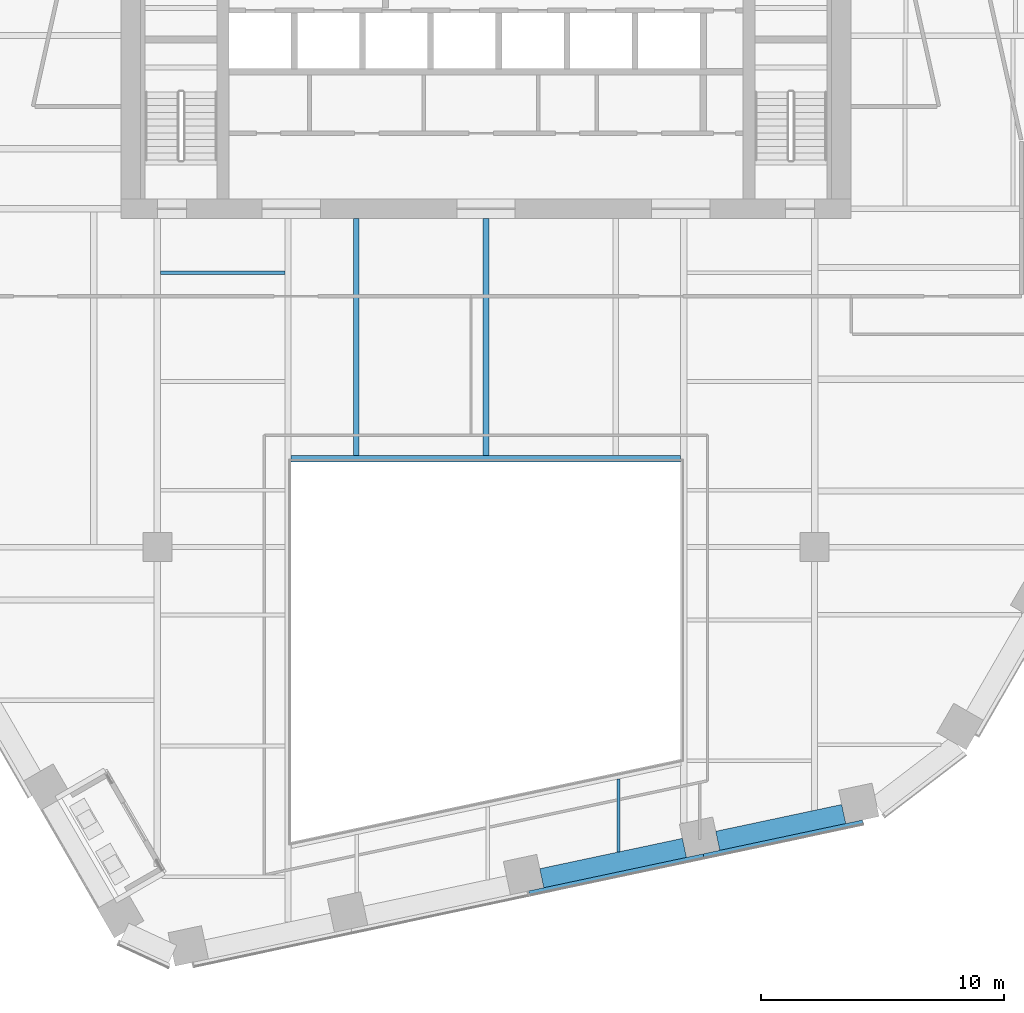
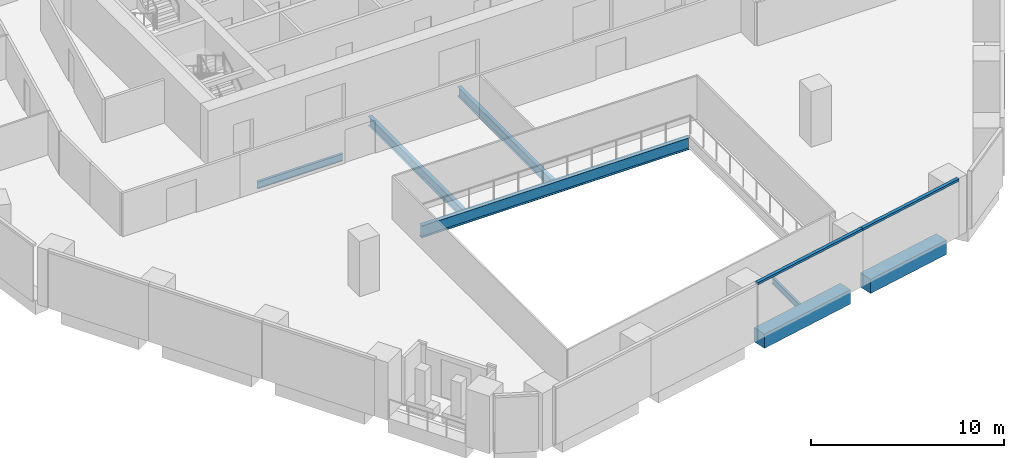
# One storey, part 5 of 26: 7 beams, 2 members, 1 element without a shape of its own.
"""IFC4 building model written with IfcOpenShell, lengths in metres."""

import ifcopenshell
import ifcopenshell.guid

model = None  # the IFC model being written
_history = None  # IfcOwnerHistory: only IFC2X3 demands one
_inside = {}  # id of a spatial element -> (the spatial element, [elements in it])
_under = {}  # id of a project, library or spatial element -> (it, [spatial elements below it])
_declared = {}  # id of a project -> (the project, [libraries it declares])
_typed = {}  # id of a type object -> (the type object, [elements of that type])
_made_of = {}  # id of a material, layer set ... -> (it, [elements and type objects made of it])


def new_model(schema):
    """Start an empty IFC model of exactly this schema.

    Asked for "IFC4X3", IfcOpenShell would pick the latest addendum, in which some entities
    have other attributes; the version numbers below select the first issue.
    IFC2X3 requires an IfcOwnerHistory on every rooted entity: one is made here for all.
    """
    global model, _history
    if schema == "IFC4X3":
        model = ifcopenshell.file(schema_version=(4, 3, 0, 0))
    else:
        model = ifcopenshell.file(schema=schema)
    _inside.clear()
    _under.clear()
    _declared.clear()
    _typed.clear()
    _made_of.clear()
    _history = None
    if model.schema == "IFC2X3":
        org = make("IfcOrganization", Name="unknown")
        user = make(
            "IfcPersonAndOrganization",
            ThePerson=make("IfcPerson", FamilyName="unknown"),
            TheOrganization=org,
        )
        app = make(
            "IfcApplication",
            ApplicationDeveloper=org,
            Version="unknown",
            ApplicationFullName="unknown",
            ApplicationIdentifier="unknown",
        )
        _history = make(
            "IfcOwnerHistory",
            OwningUser=user,
            OwningApplication=app,
            ChangeAction="ADDED",
            CreationDate=0,
        )
    return model


def make(cls, **values):
    """One entity of the class cls with the attributes given. An attribute that is None is left unset."""
    return model.create_entity(
        cls, **{name: value for name, value in values.items() if value is not None}
    )


def rooted(cls, **values):
    """An entity with a GlobalId (a new one), such as an element, a storey or a relation."""
    return make(cls, GlobalId=ifcopenshell.guid.new(), OwnerHistory=_history, **values)


def si_unit(unit_type, name, prefix=None):
    """IfcSIUnit, for example si_unit("LENGTHUNIT", "METRE", prefix="MILLI")."""
    return make("IfcSIUnit", UnitType=unit_type, Prefix=prefix, Name=name)


def assignment(units):
    """IfcUnitAssignment: the units of a project."""
    return None if units is None else make("IfcUnitAssignment", Units=units)


def point(xyz):
    """IfcCartesianPoint."""
    return None if xyz is None else make("IfcCartesianPoint", Coordinates=xyz)


def direction(xyz):
    """IfcDirection."""
    return None if xyz is None else make("IfcDirection", DirectionRatios=xyz)


def frame(location, z_axis=None, x_axis=None):
    """IfcAxis2Placement3D, a coordinate frame: its origin and axes. An axis left out is left unset."""
    return make(
        "IfcAxis2Placement3D",
        Location=point(location),
        Axis=direction(z_axis),
        RefDirection=direction(x_axis),
    )


def frame_2d(location, x_axis=None):
    """IfcAxis2Placement2D, a coordinate frame in the plane: its origin and x axis."""
    return make(
        "IfcAxis2Placement2D", Location=point(location), RefDirection=direction(x_axis)
    )


def origin():
    """The frame at (0, 0, 0) with its axes left unset."""
    return frame((0.0, 0.0, 0.0))


def origin_2d():
    """The frame at (0, 0) in the plane with its x axis left unset."""
    return frame_2d((0.0, 0.0))


def place(relative_to, where):
    """IfcLocalPlacement: puts the frame where relative to a parent placement (None: the world)."""
    return make(
        "IfcLocalPlacement", PlacementRelTo=relative_to, RelativePlacement=where
    )


def context(
    kind, dimensions, precision=None, world=None, true_north=None, identifier=None
):
    """IfcGeometricRepresentationContext, for example the 3D "Model" context."""
    return make(
        "IfcGeometricRepresentationContext",
        ContextIdentifier=identifier,
        ContextType=kind,
        CoordinateSpaceDimension=dimensions,
        Precision=precision,
        WorldCoordinateSystem=world,
        TrueNorth=true_north,
    )


def subcontext(parent, identifier, kind, view, scale=None):
    """IfcGeometricRepresentationSubContext, for example "Body" below "Model"."""
    return make(
        "IfcGeometricRepresentationSubContext",
        ContextIdentifier=identifier,
        ContextType=kind,
        ParentContext=parent,
        TargetScale=scale,
        TargetView=view,
    )


def project(units=None, contexts=None):
    """IfcProject with its units and contexts."""
    return rooted(
        "IfcProject",
        Name="project",
        RepresentationContexts=contexts,
        UnitsInContext=assignment(units),
    )


def spatial(cls, under=None, at=None, **own):
    """A site, building, storey or space (cls), placed at a placement, below another one or the project."""
    s = rooted(cls, ObjectPlacement=at, **own)
    if under is not None:
        _under.setdefault(under.id(), (under, []))[1].append(s)
    return s


def profile(cls, at=None, kind="AREA", **sizes):
    """A parametric profile (cls). Its sizes go by their IFC names, for example OverallWidth=200.0."""
    return make(cls, ProfileType=kind, Position=at, **sizes)


def rectangle(**sizes):
    """IfcRectangleProfileDef."""
    return profile("IfcRectangleProfileDef", **sizes)


def i_section(**sizes):
    """IfcIShapeProfileDef."""
    return profile("IfcIShapeProfileDef", **sizes)


def extrude(swept, where, along, depth):
    """IfcExtrudedAreaSolid: the profile swept, set in the frame where, extruded along a direction by depth."""
    return make(
        "IfcExtrudedAreaSolid",
        SweptArea=swept,
        Position=where,
        ExtrudedDirection=direction(along),
        Depth=depth,
    )


def shape(context_of_items, identifier, shape_type, items):
    """IfcShapeRepresentation: the items that make up one representation, for example the "Body"."""
    return make(
        "IfcShapeRepresentation",
        ContextOfItems=context_of_items,
        RepresentationIdentifier=identifier,
        RepresentationType=shape_type,
        Items=items,
    )


def material(Name=None, Category=None):
    """IfcMaterial."""
    return make("IfcMaterial", Name=Name, Category=Category)


def layer(
    of_material, thickness, ventilated=None, Name=None, Category=None, Priority=None
):
    """IfcMaterialLayer: one layer of a wall or slab, of a material (None: an air gap)."""
    return make(
        "IfcMaterialLayer",
        Material=of_material,
        LayerThickness=thickness,
        IsVentilated=ventilated,
        Name=Name,
        Category=Category,
        Priority=Priority,
    )


def layer_set(layers, Name=None):
    """IfcMaterialLayerSet."""
    return make("IfcMaterialLayerSet", MaterialLayers=layers, LayerSetName=Name)


def material_profile(
    of_material, cross_section, Name=None, Category=None, Priority=None
):
    """IfcMaterialProfile: a cross section and its material."""
    return make(
        "IfcMaterialProfile",
        Name=Name,
        Material=of_material,
        Profile=cross_section,
        Priority=Priority,
        Category=Category,
    )


def profile_set(profiles, Name=None, composite=None):
    """IfcMaterialProfileSet."""
    return make(
        "IfcMaterialProfileSet",
        Name=Name,
        MaterialProfiles=profiles,
        CompositeProfile=composite,
    )


def made_of(thing, what):
    """Note that an element or type object is made of a material, layer set ...; save() writes the relation."""
    if what is not None:
        _made_of.setdefault(what.id(), (what, []))[1].append(thing)
    return thing


def type_object(cls, material=None, **own):
    """A type object (cls), such as IfcWallType, which elements share."""
    return made_of(rooted(cls, **own), material)


def element(
    cls,
    number,
    at=None,
    inside=None,
    cuts=None,
    type_object=None,
    material=None,
    context=None,
    identifier="Body",
    shape_type=None,
    held_by="IfcProductDefinitionShape",
    body=None,
    shapes=None,
    **own,
):
    """One element of the class cls, such as IfcWall. Its Tag is "e" and its number.

    at: its placement. inside: the storey or other place that contains it. cuts: it is an
    opening in that element (IfcRelVoidsElement). A single representation is given by context,
    identifier, shape_type and body (its items); several are given by shapes. held_by: the class
    of the entity that holds the representations. save() writes the other relations.
    """
    e = rooted(cls, Tag="e%d" % number, ObjectPlacement=at, **own)
    if body is not None:
        shapes = [shape(context, identifier, shape_type, body)]
    if shapes is not None:
        e.Representation = make(held_by, Representations=shapes)
    if inside is not None:
        _inside.setdefault(inside.id(), (inside, []))[1].append(e)
    if cuts is not None:
        rooted(
            "IfcRelVoidsElement", RelatingBuildingElement=cuts, RelatedOpeningElement=e
        )
    if type_object is not None:
        _typed.setdefault(type_object.id(), (type_object, []))[1].append(e)
    return made_of(e, material)


def aggregate(whole, parts):
    """IfcRelAggregates: a whole, such as a stair, and the parts it consists of."""
    return rooted("IfcRelAggregates", RelatingObject=whole, RelatedObjects=parts)


def save(model, path):
    """Write the relations noted so far, then the file.

    IfcRelAggregates (storeys below a building ...), IfcRelContainedInSpatialStructure (elements
    in a storey), IfcRelDefinesByType, IfcRelAssociatesMaterial and IfcRelDeclares: one each for
    every whole, place, type object, material and project.
    """
    for whole, parts in _under.values():
        aggregate(whole, parts)
    for where, things in _inside.values():
        rooted(
            "IfcRelContainedInSpatialStructure",
            RelatedElements=things,
            RelatingStructure=where,
        )
    for kind, things in _typed.values():
        rooted("IfcRelDefinesByType", RelatedObjects=things, RelatingType=kind)
    for what, things in _made_of.values():
        rooted("IfcRelAssociatesMaterial", RelatedObjects=things, RelatingMaterial=what)
    for by, libraries in _declared.values():
        rooted("IfcRelDeclares", RelatingContext=by, RelatedDefinitions=libraries)
    model.write(path)


model = new_model("IFC4")

# Units and contexts
model_context = context("Model", 3, precision=1e-05, world=origin(), true_north=direction((0.0, 1.0)))
body_context = subcontext(model_context, "Body", "Model", "MODEL_VIEW")
ifc_project = project(units=[si_unit("LENGTHUNIT", "METRE"), si_unit("AREAUNIT", "SQUARE_METRE"), si_unit("VOLUMEUNIT", "CUBIC_METRE"), si_unit("PLANEANGLEUNIT", "RADIAN"), si_unit("MASSUNIT", "GRAM", prefix="KILO")], contexts=[model_context])

# Site, building, storey
site_placement = place(None, origin())
site = spatial("IfcSite", under=ifc_project, at=site_placement, CompositionType="ELEMENT")
building_placement = place(site_placement, origin())
building = spatial("IfcBuilding", under=site, at=building_placement, Name="Isthmus Gate Tower", CompositionType="ELEMENT")
storey_placement = place(building_placement, frame((0.0, 0.0, 144.39990234375)))
storey = spatial("IfcBuildingStorey", under=building, at=storey_placement, Name="L35", CompositionType="ELEMENT", Elevation=144.39990234375)

# Curtain wall, members
ifc_material_1 = material(Name="Aluminium, pale champagne anodised", Category="aluminium")
ifc_layer = layer(ifc_material_1, 0.199951171875)
ifc_layer_set = layer_set([ifc_layer], Name="CW-1 UNITISED CURTAIN WALL 200 DEEP")
curtain_wall_type = type_object("IfcCurtainWallType", Name="CW-1 UNITISED CURTAIN WALL 200 DEEP", PredefinedType="NOTDEFINED", material=ifc_layer_set)
curtain_wall_placement = place(storey_placement, origin())
curtain_wall = element("IfcCurtainWall", 1, at=curtain_wall_placement, inside=storey, type_object=curtain_wall_type, Name="CW-1 S L35", PredefinedType="NOTDEFINED")
ifc_material_2 = material(Name="Aluminium, pale champagne anodised", Category="aluminium")
ifc_material_profile_1 = material_profile(ifc_material_2, rectangle(XDim=0.199951171875, YDim=0.139892578125, at=origin_2d()), Name="200x140")
ifc_profile_set_1 = profile_set([ifc_material_profile_1], Name="Aluminium, pale champagne anodised")
member_type = type_object("IfcMemberType", Name="CW-1 TRANSOM 200 X 140", PredefinedType="USERDEFINED", material=ifc_profile_set_1)
member_1_placement = place(storey_placement, frame((1.76953125, -27.72607421875, 3.580078125), z_axis=(0.978146152746, 0.207918502948, 0.0), x_axis=(-0.207918502948, 0.978146152746, 0.0)))
member_1 = element("IfcMember", 2, at=member_1_placement, type_object=member_type, Name="CW-1 transom", ObjectType="TRANSOM", PredefinedType="USERDEFINED", context=body_context, shape_type="SweptSolid", body=[
    extrude(rectangle(XDim=0.199951171875, YDim=0.139892578125, at=origin_2d()), origin(), (0.0, 0.0, 1.0), 7.33056640625),
])
member_2_placement = place(storey_placement, frame((8.93994140625, -26.201904296875, 3.580078125), z_axis=(0.978147628551, 0.207911559946, 0.0), x_axis=(-0.207911559946, 0.978147628551, 0.0)))
member_2 = element("IfcMember", 3, at=member_2_placement, type_object=member_type, Name="CW-1 transom", ObjectType="TRANSOM", PredefinedType="USERDEFINED", context=body_context, shape_type="SweptSolid", body=[
    extrude(rectangle(XDim=0.199951171875, YDim=0.139892578125, at=origin_2d()), origin(), (0.0, 0.0, 1.0), 6.69091796875),
])
aggregate(curtain_wall, [member_1, member_2])

# Beams
ifc_material_3 = material(Name="Concrete f'c 60 MPa", Category="concrete")
ifc_material_profile_2 = material_profile(ifc_material_3, rectangle(XDim=0.800048828125, YDim=0.89990234375, at=origin_2d()), Name="RC 800X900")
ifc_profile_set_2 = profile_set([ifc_material_profile_2], Name="Concrete f'c 60 MPa")
beam_type_1 = type_object("IfcBeamType", Name="RC SPANDREL 800 X 900", PredefinedType="SPANDREL", material=ifc_profile_set_2)
beam_1_placement = place(storey_placement, frame((14.696044921875, -24.46728515625, -0.449951171875), z_axis=(-0.978145479826, -0.207921668653, 0.0), x_axis=(0.207921668653, -0.978145479826, 0.0)))
element("IfcBeam", 4, at=beam_1_placement, inside=storey, type_object=beam_type_1, Name="str-spandrel-L35-11", PredefinedType="SPANDREL", context=body_context, shape_type="SweptSolid", body=[
    extrude(rectangle(XDim=0.800048828125, YDim=0.89990234375, at=origin_2d()), origin(), (0.0, 0.0, 1.0), 5.291015625),
])
beam_2_placement = place(storey_placement, frame((8.1513671875, -25.8583984375, -0.449951171875), z_axis=(-0.978145798872, -0.20792016773, 0.0), x_axis=(0.20792016773, -0.978145798872, 0.0)))
element("IfcBeam", 5, at=beam_2_placement, inside=storey, type_object=beam_type_1, Name="str-spandrel-L35-12", PredefinedType="SPANDREL", context=body_context, shape_type="SweptSolid", body=[
    extrude(rectangle(XDim=0.800048828125, YDim=0.89990234375, at=origin_2d()), origin(), (0.0, 0.0, 1.0), 5.99072265625),
])
ifc_material_4 = material(Name="Structural steel ASTM A992 Gr 50", Category="steel")
ifc_material_profile_3 = material_profile(ifc_material_4, i_section(OverallWidth=0.1396484375, OverallDepth=0.4033203125, WebThickness=0.00634765625, FlangeThickness=0.010986328125, at=origin_2d()), Name="W16X31")
ifc_profile_set_3 = profile_set([ifc_material_profile_3], Name="Structural steel ASTM A992 Gr 50")
beam_type_2 = type_object("IfcBeamType", Name="STEEL FLOOR BEAM W16X31", PredefinedType="JOIST", material=ifc_profile_set_3)
beam_3_placement = place(storey_placement, frame((5.443115234375, -26.025146484375, -0.3515625), z_axis=(0.0, 1.0, 0.0), x_axis=(-1.0, 0.0, 0.0)))
element("IfcBeam", 6, at=beam_3_placement, inside=storey, type_object=beam_type_2, Name="str-beam-L35-10-02", PredefinedType="JOIST", context=body_context, shape_type="SweptSolid", body=[
    extrude(i_section(OverallWidth=0.1396484375, OverallDepth=0.4033203125, WebThickness=0.00634765625, FlangeThickness=0.010986328125, at=origin_2d()), origin(), (0.0, 0.0, 1.0), 2.998779296875),
])
ifc_material_5 = material(Name="Structural steel ASTM A992 Gr 50", Category="steel")
ifc_material_profile_4 = material_profile(ifc_material_5, i_section(OverallWidth=0.15234375, OverallDepth=0.45068359375, WebThickness=0.0078125, FlangeThickness=0.010986328125, at=origin_2d()), Name="W18X35")
ifc_profile_set_4 = profile_set([ifc_material_profile_4], Name="Structural steel ASTM A992 Gr 50")
beam_type_3 = type_object("IfcBeamType", Name="STEEL FLOOR BEAM W18X35", PredefinedType="JOIST", material=ifc_profile_set_4)
beam_4_placement = place(storey_placement, frame((-13.3681640625, -2.232421875, -0.375244140625), z_axis=(1.0, 0.0, 0.0), x_axis=(0.0, 1.0, 0.0)))
element("IfcBeam", 7, at=beam_4_placement, inside=storey, type_object=beam_type_3, Name="str-beam-L35-07-02", PredefinedType="JOIST", context=body_context, shape_type="SweptSolid", body=[
    extrude(i_section(OverallWidth=0.15234375, OverallDepth=0.45068359375, WebThickness=0.0078125, FlangeThickness=0.010986328125, at=origin_2d()), origin(), (0.0, 0.0, 1.0), 5.1015625),
])
ifc_material_6 = material(Name="Structural steel ASTM A992 Gr 50", Category="steel")
ifc_material_profile_5 = material_profile(ifc_material_6, i_section(OverallWidth=0.228515625, OverallDepth=0.603271484375, WebThickness=0.010986328125, FlangeThickness=0.014404296875, at=origin_2d()), Name="W24X68")
ifc_profile_set_5 = profile_set([ifc_material_profile_5], Name="Structural steel ASTM A992 Gr 50")
beam_type_4 = type_object("IfcBeamType", Name="STEEL FLOOR BEAM W24X68", PredefinedType="JOIST", material=ifc_profile_set_5)
for number, where, z_axis, x_axis, name in (
    (8, (-5.333251953125, -9.7333984375, -0.451416015625), (0.0, 1.0, 0.0), (-1.0, 0.0, 0.0), "str-beam-L35-09-00"),
    (9, (0.0, -9.7333984375, -0.451416015625), (0.0, 1.0, 0.0), (-1.0, 0.0, 0.0), "str-beam-L35-09-01"),
):
    element("IfcBeam", number, at=place(storey_placement, frame(where, z_axis=z_axis, x_axis=x_axis)), inside=storey, type_object=beam_type_4, Name=name, PredefinedType="JOIST", context=body_context, shape_type="SweptSolid", body=[
        extrude(i_section(OverallWidth=0.228515625, OverallDepth=0.603271484375, WebThickness=0.010986328125, FlangeThickness=0.014404296875, at=origin_2d()), origin(), (0.0, 0.0, 1.0), 9.7333984375),
    ])
ifc_material_7 = material(Name="Structural steel ASTM A992 Gr 50", Category="steel")
ifc_material_profile_6 = material_profile(ifc_material_7, i_section(OverallWidth=0.2666015625, OverallDepth=0.7587890625, WebThickness=0.014404296875, FlangeThickness=0.01904296875, at=origin_2d()), Name="W30X108")
ifc_profile_set_6 = profile_set([ifc_material_profile_6], Name="Structural steel ASTM A992 Gr 50")
beam_type_5 = type_object("IfcBeamType", Name="STEEL TRIMMER W30X108", PredefinedType="BEAM", material=ifc_profile_set_6)
beam_5_placement = place(storey_placement, frame((8.0, -9.86669921875, -0.529296875), z_axis=(-1.0, 0.0, 0.0), x_axis=(0.0, -1.0, 0.0)))
element("IfcBeam", 10, at=beam_5_placement, inside=storey, type_object=beam_type_5, Name="str-trimmer-L35-04", PredefinedType="BEAM", context=body_context, shape_type="SweptSolid", body=[
    extrude(i_section(OverallWidth=0.2666015625, OverallDepth=0.7587890625, WebThickness=0.014404296875, FlangeThickness=0.01904296875, at=origin_2d()), origin(), (0.0, 0.0, 1.0), 16.0),
])

save(model, "model.ifc")
